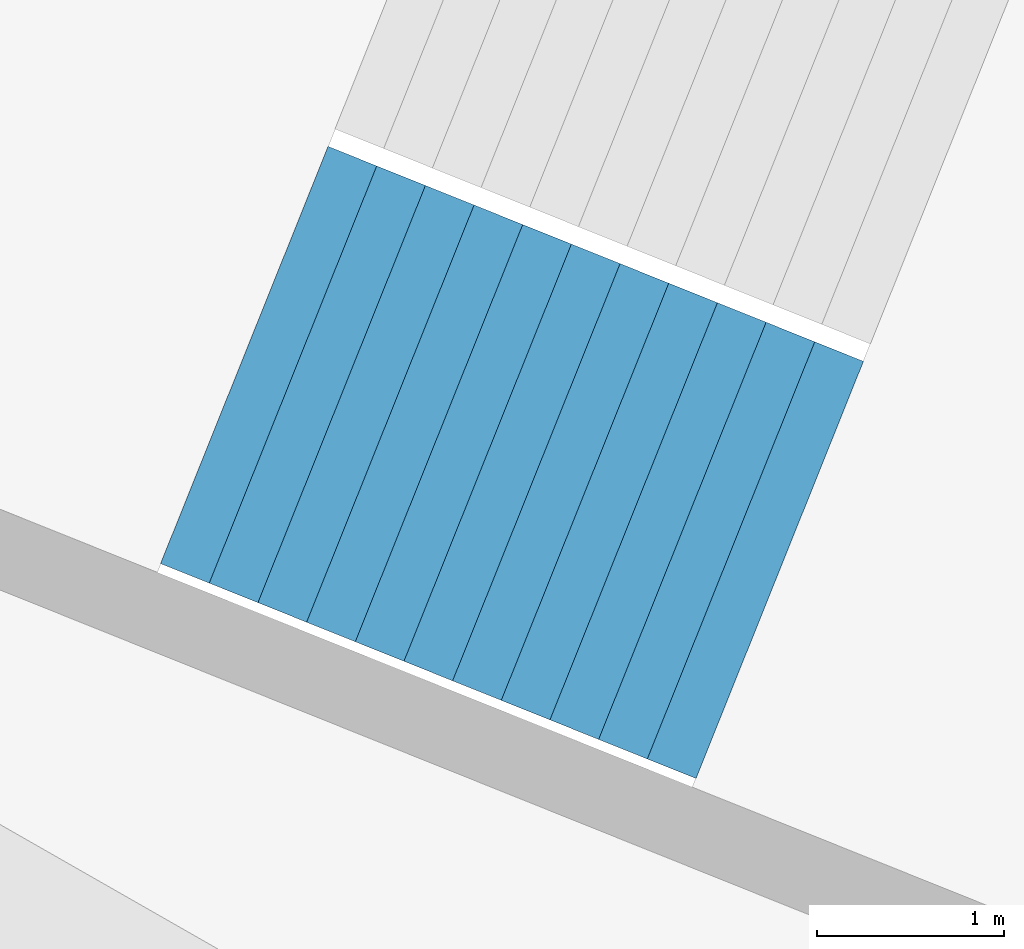
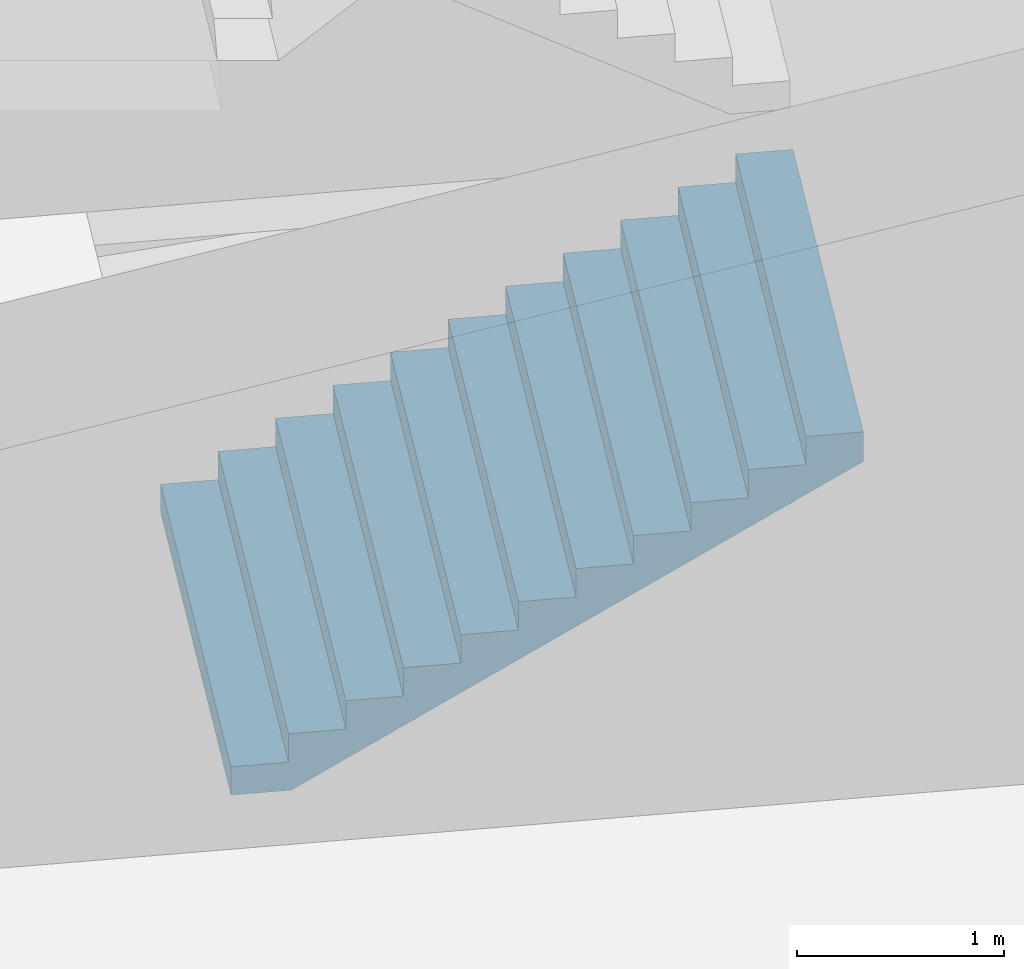
# One storey, part 50 of 74: 1 stair flight, 1 element without a shape of its own.
"""IFC4 building model written with IfcOpenShell, lengths in metres."""

from ifc_helpers import new_model, si_unit, direction, frame, origin, place, context, subcontext, project, spatial, triangles, material, type_object, element, aggregate, save


model = new_model("IFC4")

# Units and contexts
model_context = context("Model", 3, precision=1e-05, world=origin(), true_north=direction((0.0, 1.0)))
body_context = subcontext(model_context, "Body", "Model", "MODEL_VIEW")
ifc_project = project(units=[si_unit("LENGTHUNIT", "METRE"), si_unit("AREAUNIT", "SQUARE_METRE"), si_unit("VOLUMEUNIT", "CUBIC_METRE"), si_unit("PLANEANGLEUNIT", "RADIAN"), si_unit("MASSUNIT", "GRAM", prefix="KILO")], contexts=[model_context])

# Site, building, storey
site_placement = place(None, origin())
site = spatial("IfcSite", under=ifc_project, at=site_placement, CompositionType="ELEMENT")
building_placement = place(site_placement, origin())
building = spatial("IfcBuilding", under=site, at=building_placement, Name="Lantaw Convention Tower", CompositionType="ELEMENT")
storey_placement = place(building_placement, frame((0.0, 0.0, 6.5)))
storey = spatial("IfcBuildingStorey", under=building, at=storey_placement, Name="L01", CompositionType="ELEMENT", Elevation=6.5)

# Stair, stair flight
ifc_material = material(Name="Concrete C35/45", Category="concrete")
stair_type = type_object("IfcStairType", Name="Exit stair 2400 riser 166.67 in 4 flights", PredefinedType="HALF_TURN_STAIR", material=ifc_material)
stair_placement = place(storey_placement, origin())
stair = element("IfcStair", 1, at=stair_placement, inside=storey, type_object=stair_type, Name="Podium exit stair P12 L01", PredefinedType="HALF_TURN_STAIR")
stair_flight_type = type_object("IfcStairFlightType", Name="Stair flight 2400 riser 166.67", PredefinedType="STRAIGHT", material=ifc_material)
stair_flight_placement = place(storey_placement, frame((29.08642578125, -13.0234375, 0.0), z_axis=(0.0, 0.0, 1.0), x_axis=(0.928015818512, -0.372540790506, 0.0)))
stair_flight = element("IfcStairFlight", 2, at=stair_flight_placement, type_object=stair_flight_type, Name="P12 flight 1", NumberOfRisers=12, NumberOfTreads=11, PredefinedType="STRAIGHT", RiserHeight=0.166666667, TreadLength=0.28, context=body_context, shape_type="Tessellation", body=[
    triangles([(0.0, 1.199951171875, 0.0), (0.0, 1.199951171875, 0.166666667), (0.28, 1.199951171875, 0.0), (0.28, 1.199951171875, 0.166666667), (0.28, 1.199951171875, 0.333333334), (0.29307345806906726, 1.199951171875, 0.0), (0.29307345806906726, 1.199951171875, 0.333333334), (0.56, 1.199951171875, 0.15888484670522965), (0.56, 1.199951171875, 0.333333334), (0.56, 1.199951171875, 0.500000001), (0.8400000000000001, 1.199951171875, 0.3255515137052296), (0.8400000000000001, 1.199951171875, 0.500000001), (0.8400000000000001, 1.199951171875, 0.666666668), (1.12, 1.199951171875, 0.4922181807052296), (1.12, 1.199951171875, 0.666666668), (1.12, 1.199951171875, 0.833333335), (1.4000000000000001, 1.199951171875, 0.6588848477052296), (1.4000000000000001, 1.199951171875, 0.833333335), (1.4000000000000001, 1.199951171875, 1.000000002), (1.6800000000000002, 1.199951171875, 0.8255515147052296), (1.6800000000000002, 1.199951171875, 1.000000002), (1.6800000000000002, 1.199951171875, 1.166666669), (1.9600000000000002, 1.199951171875, 0.9922181817052296), (1.9600000000000002, 1.199951171875, 1.166666669), (1.9600000000000002, 1.199951171875, 1.333333336), (2.24, 1.199951171875, 1.1588848487052295), (2.24, 1.199951171875, 1.333333336), (2.24, 1.199951171875, 1.5000000029999998), (2.5200000000000005, 1.199951171875, 1.3255515157052296), (2.5200000000000005, 1.199951171875, 1.5000000029999998), (2.5200000000000005, 1.199951171875, 1.66666667), (2.8000000000000003, 1.199951171875, 1.4922181827052294), (2.8000000000000003, 1.199951171875, 1.66666667), (2.8000000000000003, 1.199951171875, 1.833333337), (3.08, 1.199951171875, 1.6588848497052293), (3.08, 1.199951171875, 1.833333337), (0.0, -1.199951171875, 0.0), (0.0, -1.199951171875, 0.166666667), (0.28, -1.199951171875, 0.0), (0.28, -1.199951171875, 0.166666667), (0.28, -1.199951171875, 0.333333334), (0.29307345806906726, -1.199951171875, 0.0), (0.29307345806906726, -1.199951171875, 0.333333334), (0.56, -1.199951171875, 0.15888484670522965), (0.56, -1.199951171875, 0.333333334), (0.56, -1.199951171875, 0.500000001), (0.8400000000000001, -1.199951171875, 0.3255515137052296), (0.8400000000000001, -1.199951171875, 0.500000001), (0.8400000000000001, -1.199951171875, 0.666666668), (1.12, -1.199951171875, 0.4922181807052296), (1.12, -1.199951171875, 0.666666668), (1.12, -1.199951171875, 0.833333335), (1.4000000000000001, -1.199951171875, 0.6588848477052296), (1.4000000000000001, -1.199951171875, 0.833333335), (1.4000000000000001, -1.199951171875, 1.000000002), (1.6800000000000002, -1.199951171875, 0.8255515147052296), (1.6800000000000002, -1.199951171875, 1.000000002), (1.6800000000000002, -1.199951171875, 1.166666669), (1.9600000000000002, -1.199951171875, 0.9922181817052296), (1.9600000000000002, -1.199951171875, 1.166666669), (1.9600000000000002, -1.199951171875, 1.333333336), (2.24, -1.199951171875, 1.1588848487052295), (2.24, -1.199951171875, 1.333333336), (2.24, -1.199951171875, 1.5000000029999998), (2.5200000000000005, -1.199951171875, 1.3255515157052296), (2.5200000000000005, -1.199951171875, 1.5000000029999998), (2.5200000000000005, -1.199951171875, 1.66666667), (2.8000000000000003, -1.199951171875, 1.4922181827052294), (2.8000000000000003, -1.199951171875, 1.66666667), (2.8000000000000003, -1.199951171875, 1.833333337), (3.08, -1.199951171875, 1.6588848497052293), (3.08, -1.199951171875, 1.833333337), (0.0, 0.239990234375, 0.166666667), (0.0, 0.239990234375, 0.0), (0.0, 0.1199951171875, 0.166666667), (0.0, 0.1199951171875, 0.0), (0.0, 0.0, 0.166666667), (0.0, 0.0, 0.0), (0.0, -0.1199951171875, 0.166666667), (0.0, -0.1199951171875, 0.0), (0.0, -0.239990234375, 0.166666667), (0.0, -0.239990234375, 0.0), (0.28, 0.239990234375, 0.333333334), (0.28, 0.239990234375, 0.166666667), (0.28, 0.1199951171875, 0.333333334), (0.28, 0.1199951171875, 0.166666667), (0.28, 0.0, 0.333333334), (0.28, 0.0, 0.166666667), (0.28, -0.1199951171875, 0.333333334), (0.28, -0.1199951171875, 0.166666667), (0.28, -0.239990234375, 0.333333334), (0.28, -0.239990234375, 0.166666667), (0.56, 0.239990234375, 0.500000001), (0.56, 0.239990234375, 0.333333334), (0.56, 0.1199951171875, 0.500000001), (0.56, 0.1199951171875, 0.333333334), (0.56, 0.0, 0.500000001), (0.56, 0.0, 0.333333334), (0.56, -0.1199951171875, 0.500000001), (0.56, -0.1199951171875, 0.333333334), (0.56, -0.239990234375, 0.500000001), (0.56, -0.239990234375, 0.333333334), (0.8400000000000001, 0.239990234375, 0.666666668), (0.8400000000000001, 0.239990234375, 0.500000001), (0.8400000000000001, 0.1199951171875, 0.666666668), (0.8400000000000001, 0.1199951171875, 0.500000001), (0.8400000000000001, 0.0, 0.666666668), (0.8400000000000001, 0.0, 0.500000001), (0.8400000000000001, -0.1199951171875, 0.666666668), (0.8400000000000001, -0.1199951171875, 0.500000001), (0.8400000000000001, -0.239990234375, 0.666666668), (0.8400000000000001, -0.239990234375, 0.500000001), (1.12, 0.239990234375, 0.833333335), (1.12, 0.239990234375, 0.666666668), (1.12, 0.1199951171875, 0.833333335), (1.12, 0.1199951171875, 0.666666668), (1.12, 0.0, 0.833333335), (1.12, 0.0, 0.666666668), (1.12, -0.1199951171875, 0.833333335), (1.12, -0.1199951171875, 0.666666668), (1.12, -0.239990234375, 0.833333335), (1.12, -0.239990234375, 0.666666668), (1.4000000000000001, 0.239990234375, 1.000000002), (1.4000000000000001, 0.239990234375, 0.833333335), (1.4000000000000001, 0.1199951171875, 1.000000002), (1.4000000000000001, 0.1199951171875, 0.833333335), (1.4000000000000001, 0.0, 1.000000002), (1.4000000000000001, 0.0, 0.833333335), (1.4000000000000001, -0.1199951171875, 1.000000002), (1.4000000000000001, -0.1199951171875, 0.833333335), (1.4000000000000001, -0.239990234375, 1.000000002), (1.4000000000000001, -0.239990234375, 0.833333335), (1.6800000000000002, 0.239990234375, 1.166666669), (1.6800000000000002, 0.239990234375, 1.000000002), (1.6800000000000002, 0.1199951171875, 1.166666669), (1.6800000000000002, 0.1199951171875, 1.000000002), (1.6800000000000002, 0.0, 1.166666669), (1.6800000000000002, 0.0, 1.000000002), (1.6800000000000002, -0.1199951171875, 1.166666669), (1.6800000000000002, -0.1199951171875, 1.000000002), (1.6800000000000002, -0.239990234375, 1.166666669), (1.6800000000000002, -0.239990234375, 1.000000002), (1.9600000000000002, 0.239990234375, 1.333333336), (1.9600000000000002, 0.239990234375, 1.166666669), (1.9600000000000002, 0.1199951171875, 1.333333336), (1.9600000000000002, 0.1199951171875, 1.166666669), (1.9600000000000002, 0.0, 1.333333336), (1.9600000000000002, 0.0, 1.166666669), (1.9600000000000002, -0.1199951171875, 1.333333336), (1.9600000000000002, -0.1199951171875, 1.166666669), (1.9600000000000002, -0.239990234375, 1.333333336), (1.9600000000000002, -0.239990234375, 1.166666669), (2.24, 0.239990234375, 1.5000000029999998), (2.24, 0.239990234375, 1.333333336), (2.24, 0.1199951171875, 1.5000000029999998), (2.24, 0.1199951171875, 1.333333336), (2.24, 0.0, 1.5000000029999998), (2.24, 0.0, 1.333333336), (2.24, -0.1199951171875, 1.5000000029999998), (2.24, -0.1199951171875, 1.333333336), (2.24, -0.239990234375, 1.5000000029999998), (2.24, -0.239990234375, 1.333333336), (2.5200000000000005, 0.239990234375, 1.66666667), (2.5200000000000005, 0.239990234375, 1.5000000029999998), (2.5200000000000005, 0.1199951171875, 1.66666667), (2.5200000000000005, 0.1199951171875, 1.5000000029999998), (2.5200000000000005, 0.0, 1.66666667), (2.5200000000000005, 0.0, 1.5000000029999998), (2.5200000000000005, -0.1199951171875, 1.66666667), (2.5200000000000005, -0.1199951171875, 1.5000000029999998), (2.5200000000000005, -0.239990234375, 1.66666667), (2.5200000000000005, -0.239990234375, 1.5000000029999998), (2.8000000000000003, 0.239990234375, 1.833333337), (2.8000000000000003, 0.239990234375, 1.66666667), (2.8000000000000003, 0.1199951171875, 1.833333337), (2.8000000000000003, 0.1199951171875, 1.66666667), (2.8000000000000003, 0.0, 1.833333337), (2.8000000000000003, 0.0, 1.66666667), (2.8000000000000003, -0.1199951171875, 1.833333337), (2.8000000000000003, -0.1199951171875, 1.66666667), (2.8000000000000003, -0.239990234375, 1.833333337), (2.8000000000000003, -0.239990234375, 1.66666667), (0.29307345806906726, 0.239990234375, 0.333333334), (0.29307345806906726, 0.1199951171875, 0.333333334), (0.29307345806906726, 0.0, 0.333333334), (0.29307345806906726, -0.1199951171875, 0.333333334), (0.29307345806906726, -0.239990234375, 0.333333334), (3.08, 0.239990234375, 1.833333337), (3.08, 0.1199951171875, 1.833333337), (3.08, 0.0, 1.833333337), (3.08, -0.1199951171875, 1.833333337), (3.08, -0.239990234375, 1.833333337), (3.08, 0.239990234375, 1.6588848497052293), (3.08, 0.1199951171875, 1.6588848497052293), (3.08, 0.0, 1.6588848497052293), (3.08, -0.1199951171875, 1.6588848497052293), (3.08, -0.239990234375, 1.6588848497052293), (2.8000000000000003, 0.239990234375, 1.4922181827052294), (2.8000000000000003, 0.1199951171875, 1.4922181827052294), (2.8000000000000003, 0.0, 1.4922181827052294), (2.8000000000000003, -0.1199951171875, 1.4922181827052294), (2.8000000000000003, -0.239990234375, 1.4922181827052294), (2.5200000000000005, 0.239990234375, 1.3255515157052296), (2.5200000000000005, 0.1199951171875, 1.3255515157052296), (2.5200000000000005, 0.0, 1.3255515157052296), (2.5200000000000005, -0.1199951171875, 1.3255515157052296), (2.5200000000000005, -0.239990234375, 1.3255515157052296), (2.24, 0.239990234375, 1.1588848487052295), (2.24, 0.1199951171875, 1.1588848487052295), (2.24, 0.0, 1.1588848487052295), (2.24, -0.1199951171875, 1.1588848487052295), (2.24, -0.239990234375, 1.1588848487052295), (1.9600000000000002, 0.239990234375, 0.9922181817052296), (1.9600000000000002, 0.1199951171875, 0.9922181817052296), (1.9600000000000002, 0.0, 0.9922181817052296), (1.9600000000000002, -0.1199951171875, 0.9922181817052296), (1.9600000000000002, -0.239990234375, 0.9922181817052296), (1.6800000000000002, 0.239990234375, 0.8255515147052296), (1.6800000000000002, 0.1199951171875, 0.8255515147052296), (1.6800000000000002, 0.0, 0.8255515147052296), (1.6800000000000002, -0.1199951171875, 0.8255515147052296), (1.6800000000000002, -0.239990234375, 0.8255515147052296), (1.4000000000000001, 0.239990234375, 0.6588848477052296), (1.4000000000000001, 0.1199951171875, 0.6588848477052296), (1.4000000000000001, 0.0, 0.6588848477052296), (1.4000000000000001, -0.1199951171875, 0.6588848477052296), (1.4000000000000001, -0.239990234375, 0.6588848477052296), (1.12, 0.239990234375, 0.4922181807052296), (1.12, 0.1199951171875, 0.4922181807052296), (1.12, 0.0, 0.4922181807052296), (1.12, -0.1199951171875, 0.4922181807052296), (1.12, -0.239990234375, 0.4922181807052296), (0.8400000000000001, 0.239990234375, 0.3255515137052296), (0.8400000000000001, 0.1199951171875, 0.3255515137052296), (0.8400000000000001, 0.0, 0.3255515137052296), (0.8400000000000001, -0.1199951171875, 0.3255515137052296), (0.8400000000000001, -0.239990234375, 0.3255515137052296), (0.56, 0.239990234375, 0.15888484670522965), (0.56, 0.1199951171875, 0.15888484670522965), (0.56, 0.0, 0.15888484670522965), (0.56, -0.1199951171875, 0.15888484670522965), (0.56, -0.239990234375, 0.15888484670522965), (0.29307345806906726, 0.239990234375, 0.0), (0.29307345806906726, 0.1199951171875, 0.0), (0.29307345806906726, 0.0, 0.0), (0.29307345806906726, -0.1199951171875, 0.0), (0.29307345806906726, -0.239990234375, 0.0), (0.28, 0.239990234375, 0.0), (0.28, 0.1199951171875, 0.0), (0.28, 0.0, 0.0), (0.28, -0.1199951171875, 0.0), (0.28, -0.239990234375, 0.0)], [[1, 4, 3], [1, 2, 4], [3, 4, 6], [4, 7, 6], [4, 5, 7], [6, 9, 8], [6, 7, 9], [8, 9, 11], [9, 12, 11], [9, 10, 12], [11, 12, 14], [12, 15, 14], [12, 13, 15], [14, 15, 17], [15, 18, 17], [15, 16, 18], [17, 18, 20], [18, 21, 20], [18, 19, 21], [20, 21, 23], [21, 24, 23], [21, 22, 24], [23, 24, 26], [24, 27, 26], [24, 25, 27], [26, 27, 29], [27, 30, 29], [27, 28, 30], [29, 30, 32], [30, 33, 32], [30, 31, 33], [32, 33, 35], [33, 36, 35], [33, 34, 36], [37, 39, 40], [37, 40, 38], [39, 42, 40], [40, 42, 43], [40, 43, 41], [42, 44, 45], [42, 45, 43], [44, 47, 45], [45, 47, 48], [45, 48, 46], [47, 50, 48], [48, 50, 51], [48, 51, 49], [50, 53, 51], [51, 53, 54], [51, 54, 52], [53, 56, 54], [54, 56, 57], [54, 57, 55], [56, 59, 57], [57, 59, 60], [57, 60, 58], [59, 62, 60], [60, 62, 63], [60, 63, 61], [62, 65, 63], [63, 65, 66], [63, 66, 64], [65, 68, 66], [66, 68, 69], [66, 69, 67], [68, 71, 69], [69, 71, 72], [69, 72, 70], [1, 73, 2], [1, 74, 73], [74, 75, 73], [74, 76, 75], [76, 77, 75], [76, 78, 77], [78, 79, 77], [78, 80, 79], [80, 81, 79], [80, 82, 81], [82, 38, 81], [82, 37, 38], [4, 83, 5], [4, 84, 83], [84, 85, 83], [84, 86, 85], [86, 87, 85], [86, 88, 87], [88, 89, 87], [88, 90, 89], [90, 91, 89], [90, 92, 91], [92, 41, 91], [92, 40, 41], [9, 93, 10], [9, 94, 93], [94, 95, 93], [94, 96, 95], [96, 97, 95], [96, 98, 97], [98, 99, 97], [98, 100, 99], [100, 101, 99], [100, 102, 101], [102, 46, 101], [102, 45, 46], [12, 103, 13], [12, 104, 103], [104, 105, 103], [104, 106, 105], [106, 107, 105], [106, 108, 107], [108, 109, 107], [108, 110, 109], [110, 111, 109], [110, 112, 111], [112, 49, 111], [112, 48, 49], [15, 113, 16], [15, 114, 113], [114, 115, 113], [114, 116, 115], [116, 117, 115], [116, 118, 117], [118, 119, 117], [118, 120, 119], [120, 121, 119], [120, 122, 121], [122, 52, 121], [122, 51, 52], [18, 123, 19], [18, 124, 123], [124, 125, 123], [124, 126, 125], [126, 127, 125], [126, 128, 127], [128, 129, 127], [128, 130, 129], [130, 131, 129], [130, 132, 131], [132, 55, 131], [132, 54, 55], [21, 133, 22], [21, 134, 133], [134, 135, 133], [134, 136, 135], [136, 137, 135], [136, 138, 137], [138, 139, 137], [138, 140, 139], [140, 141, 139], [140, 142, 141], [142, 58, 141], [142, 57, 58], [24, 143, 25], [24, 144, 143], [144, 145, 143], [144, 146, 145], [146, 147, 145], [146, 148, 147], [148, 149, 147], [148, 150, 149], [150, 151, 149], [150, 152, 151], [152, 61, 151], [152, 60, 61], [27, 153, 28], [27, 154, 153], [154, 155, 153], [154, 156, 155], [156, 157, 155], [156, 158, 157], [158, 159, 157], [158, 160, 159], [160, 161, 159], [160, 162, 161], [162, 64, 161], [162, 63, 64], [30, 163, 31], [30, 164, 163], [164, 165, 163], [164, 166, 165], [166, 167, 165], [166, 168, 167], [168, 169, 167], [168, 170, 169], [170, 171, 169], [170, 172, 171], [172, 67, 171], [172, 66, 67], [33, 173, 34], [33, 174, 173], [174, 175, 173], [174, 176, 175], [176, 177, 175], [176, 178, 177], [178, 179, 177], [178, 180, 179], [180, 181, 179], [180, 182, 181], [182, 70, 181], [182, 69, 70], [2, 84, 4], [2, 73, 84], [73, 86, 84], [73, 75, 86], [75, 88, 86], [75, 77, 88], [77, 90, 88], [77, 79, 90], [79, 92, 90], [79, 81, 92], [81, 40, 92], [81, 38, 40], [5, 183, 7], [5, 83, 183], [83, 184, 183], [83, 85, 184], [85, 185, 184], [85, 87, 185], [87, 186, 185], [87, 89, 186], [89, 187, 186], [89, 91, 187], [91, 43, 187], [91, 41, 43], [7, 94, 9], [7, 183, 94], [183, 96, 94], [183, 184, 96], [184, 98, 96], [184, 185, 98], [185, 100, 98], [185, 186, 100], [186, 102, 100], [186, 187, 102], [187, 45, 102], [187, 43, 45], [10, 104, 12], [10, 93, 104], [93, 106, 104], [93, 95, 106], [95, 108, 106], [95, 97, 108], [97, 110, 108], [97, 99, 110], [99, 112, 110], [99, 101, 112], [101, 48, 112], [101, 46, 48], [13, 114, 15], [13, 103, 114], [103, 116, 114], [103, 105, 116], [105, 118, 116], [105, 107, 118], [107, 120, 118], [107, 109, 120], [109, 122, 120], [109, 111, 122], [111, 51, 122], [111, 49, 51], [16, 124, 18], [16, 113, 124], [113, 126, 124], [113, 115, 126], [115, 128, 126], [115, 117, 128], [117, 130, 128], [117, 119, 130], [119, 132, 130], [119, 121, 132], [121, 54, 132], [121, 52, 54], [19, 134, 21], [19, 123, 134], [123, 136, 134], [123, 125, 136], [125, 138, 136], [125, 127, 138], [127, 140, 138], [127, 129, 140], [129, 142, 140], [129, 131, 142], [131, 57, 142], [131, 55, 57], [22, 144, 24], [22, 133, 144], [133, 146, 144], [133, 135, 146], [135, 148, 146], [135, 137, 148], [137, 150, 148], [137, 139, 150], [139, 152, 150], [139, 141, 152], [141, 60, 152], [141, 58, 60], [25, 154, 27], [25, 143, 154], [143, 156, 154], [143, 145, 156], [145, 158, 156], [145, 147, 158], [147, 160, 158], [147, 149, 160], [149, 162, 160], [149, 151, 162], [151, 63, 162], [151, 61, 63], [28, 164, 30], [28, 153, 164], [153, 166, 164], [153, 155, 166], [155, 168, 166], [155, 157, 168], [157, 170, 168], [157, 159, 170], [159, 172, 170], [159, 161, 172], [161, 66, 172], [161, 64, 66], [31, 174, 33], [31, 163, 174], [163, 176, 174], [163, 165, 176], [165, 178, 176], [165, 167, 178], [167, 180, 178], [167, 169, 180], [169, 182, 180], [169, 171, 182], [171, 69, 182], [171, 67, 69], [34, 188, 36], [34, 173, 188], [173, 189, 188], [173, 175, 189], [175, 190, 189], [175, 177, 190], [177, 191, 190], [177, 179, 191], [179, 192, 191], [179, 181, 192], [181, 72, 192], [181, 70, 72], [36, 193, 35], [36, 188, 193], [188, 194, 193], [188, 189, 194], [189, 195, 194], [189, 190, 195], [190, 196, 195], [190, 191, 196], [191, 197, 196], [191, 192, 197], [192, 71, 197], [192, 72, 71], [35, 198, 32], [35, 193, 198], [193, 199, 198], [193, 194, 199], [194, 200, 199], [194, 195, 200], [195, 201, 200], [195, 196, 201], [196, 202, 201], [196, 197, 202], [197, 68, 202], [197, 71, 68], [32, 203, 29], [32, 198, 203], [198, 204, 203], [198, 199, 204], [199, 205, 204], [199, 200, 205], [200, 206, 205], [200, 201, 206], [201, 207, 206], [201, 202, 207], [202, 65, 207], [202, 68, 65], [29, 208, 26], [29, 203, 208], [203, 209, 208], [203, 204, 209], [204, 210, 209], [204, 205, 210], [205, 211, 210], [205, 206, 211], [206, 212, 211], [206, 207, 212], [207, 62, 212], [207, 65, 62], [26, 213, 23], [26, 208, 213], [208, 214, 213], [208, 209, 214], [209, 215, 214], [209, 210, 215], [210, 216, 215], [210, 211, 216], [211, 217, 216], [211, 212, 217], [212, 59, 217], [212, 62, 59], [23, 218, 20], [23, 213, 218], [213, 219, 218], [213, 214, 219], [214, 220, 219], [214, 215, 220], [215, 221, 220], [215, 216, 221], [216, 222, 221], [216, 217, 222], [217, 56, 222], [217, 59, 56], [20, 223, 17], [20, 218, 223], [218, 224, 223], [218, 219, 224], [219, 225, 224], [219, 220, 225], [220, 226, 225], [220, 221, 226], [221, 227, 226], [221, 222, 227], [222, 53, 227], [222, 56, 53], [17, 228, 14], [17, 223, 228], [223, 229, 228], [223, 224, 229], [224, 230, 229], [224, 225, 230], [225, 231, 230], [225, 226, 231], [226, 232, 231], [226, 227, 232], [227, 50, 232], [227, 53, 50], [14, 233, 11], [14, 228, 233], [228, 234, 233], [228, 229, 234], [229, 235, 234], [229, 230, 235], [230, 236, 235], [230, 231, 236], [231, 237, 236], [231, 232, 237], [232, 47, 237], [232, 50, 47], [11, 238, 8], [11, 233, 238], [233, 239, 238], [233, 234, 239], [234, 240, 239], [234, 235, 240], [235, 241, 240], [235, 236, 241], [236, 242, 241], [236, 237, 242], [237, 44, 242], [237, 47, 44], [8, 243, 6], [8, 238, 243], [238, 244, 243], [238, 239, 244], [239, 245, 244], [239, 240, 245], [240, 246, 245], [240, 241, 246], [241, 247, 246], [241, 242, 247], [242, 42, 247], [242, 44, 42], [6, 248, 3], [6, 243, 248], [243, 249, 248], [243, 244, 249], [244, 250, 249], [244, 245, 250], [245, 251, 250], [245, 246, 251], [246, 252, 251], [246, 247, 252], [247, 39, 252], [247, 42, 39], [3, 74, 1], [3, 248, 74], [248, 76, 74], [248, 249, 76], [249, 78, 76], [249, 250, 78], [250, 80, 78], [250, 251, 80], [251, 82, 80], [251, 252, 82], [252, 37, 82], [252, 39, 37]], closed=True),
])
aggregate(stair, [stair_flight])

save(model, "model.ifc")
